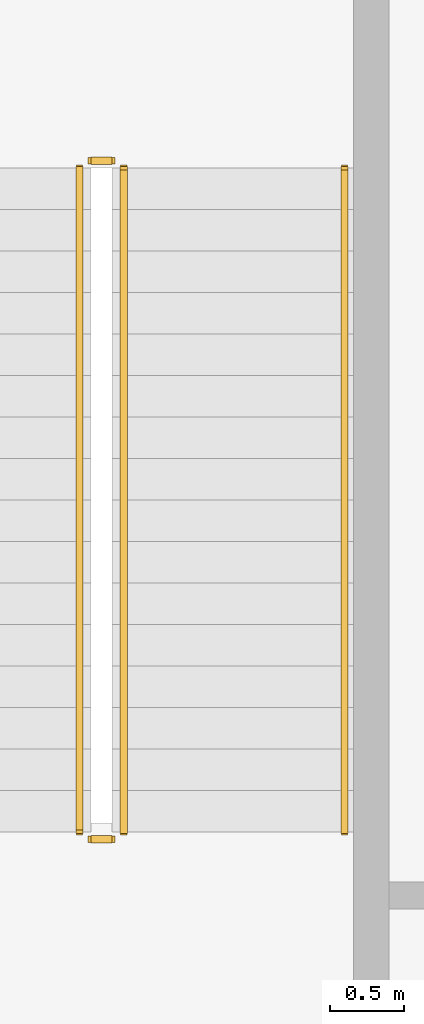
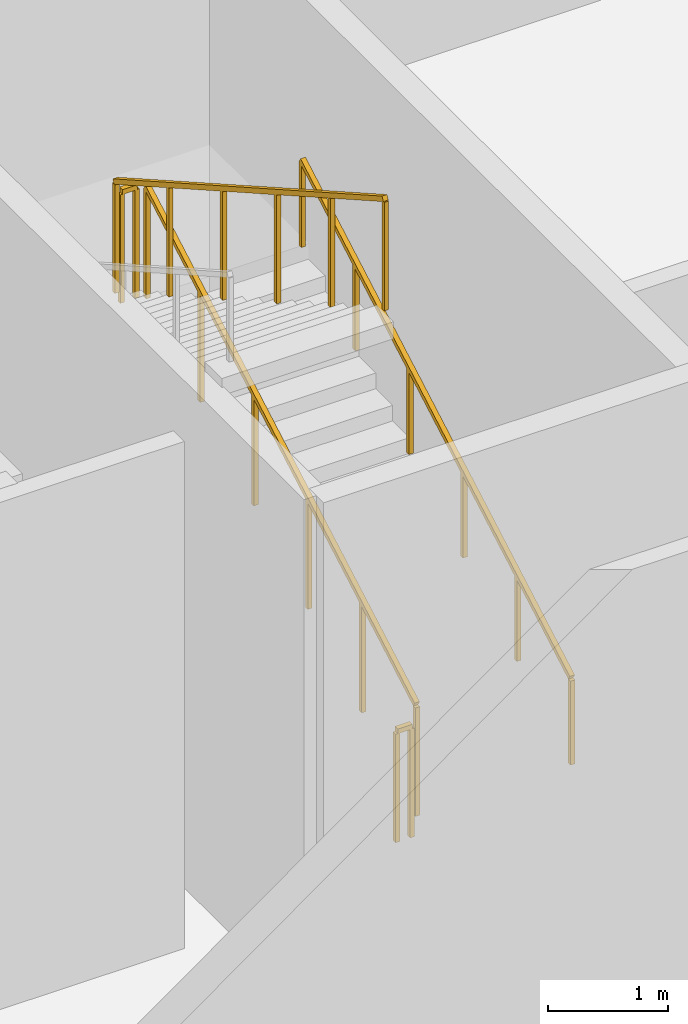
# One storey, part 28 of 30: 5 railings.
"""IFC4 building model written with IfcOpenShell, lengths in metres."""

import ifcopenshell
import ifcopenshell.guid

model = None  # the IFC model being written
_history = None  # IfcOwnerHistory: only IFC2X3 demands one
_inside = {}  # id of a spatial element -> (the spatial element, [elements in it])
_under = {}  # id of a project, library or spatial element -> (it, [spatial elements below it])
_declared = {}  # id of a project -> (the project, [libraries it declares])
_typed = {}  # id of a type object -> (the type object, [elements of that type])
_made_of = {}  # id of a material, layer set ... -> (it, [elements and type objects made of it])


def new_model(schema):
    """Start an empty IFC model of exactly this schema.

    Asked for "IFC4X3", IfcOpenShell would pick the latest addendum, in which some entities
    have other attributes; the version numbers below select the first issue.
    IFC2X3 requires an IfcOwnerHistory on every rooted entity: one is made here for all.
    """
    global model, _history
    if schema == "IFC4X3":
        model = ifcopenshell.file(schema_version=(4, 3, 0, 0))
    else:
        model = ifcopenshell.file(schema=schema)
    _inside.clear()
    _under.clear()
    _declared.clear()
    _typed.clear()
    _made_of.clear()
    _history = None
    if model.schema == "IFC2X3":
        org = make("IfcOrganization", Name="unknown")
        user = make(
            "IfcPersonAndOrganization",
            ThePerson=make("IfcPerson", FamilyName="unknown"),
            TheOrganization=org,
        )
        app = make(
            "IfcApplication",
            ApplicationDeveloper=org,
            Version="unknown",
            ApplicationFullName="unknown",
            ApplicationIdentifier="unknown",
        )
        _history = make(
            "IfcOwnerHistory",
            OwningUser=user,
            OwningApplication=app,
            ChangeAction="ADDED",
            CreationDate=0,
        )
    return model


def make(cls, **values):
    """One entity of the class cls with the attributes given. An attribute that is None is left unset."""
    return model.create_entity(
        cls, **{name: value for name, value in values.items() if value is not None}
    )


def rooted(cls, **values):
    """An entity with a GlobalId (a new one), such as an element, a storey or a relation."""
    return make(cls, GlobalId=ifcopenshell.guid.new(), OwnerHistory=_history, **values)


def si_unit(unit_type, name, prefix=None):
    """IfcSIUnit, for example si_unit("LENGTHUNIT", "METRE", prefix="MILLI")."""
    return make("IfcSIUnit", UnitType=unit_type, Prefix=prefix, Name=name)


def assignment(units):
    """IfcUnitAssignment: the units of a project."""
    return None if units is None else make("IfcUnitAssignment", Units=units)


def point(xyz):
    """IfcCartesianPoint."""
    return None if xyz is None else make("IfcCartesianPoint", Coordinates=xyz)


def direction(xyz):
    """IfcDirection."""
    return None if xyz is None else make("IfcDirection", DirectionRatios=xyz)


def frame(location, z_axis=None, x_axis=None):
    """IfcAxis2Placement3D, a coordinate frame: its origin and axes. An axis left out is left unset."""
    return make(
        "IfcAxis2Placement3D",
        Location=point(location),
        Axis=direction(z_axis),
        RefDirection=direction(x_axis),
    )


def frame_2d(location, x_axis=None):
    """IfcAxis2Placement2D, a coordinate frame in the plane: its origin and x axis."""
    return make(
        "IfcAxis2Placement2D", Location=point(location), RefDirection=direction(x_axis)
    )


def origin():
    """The frame at (0, 0, 0) with its axes left unset."""
    return frame((0.0, 0.0, 0.0))


def origin_2d():
    """The frame at (0, 0) in the plane with its x axis left unset."""
    return frame_2d((0.0, 0.0))


def place(relative_to, where):
    """IfcLocalPlacement: puts the frame where relative to a parent placement (None: the world)."""
    return make(
        "IfcLocalPlacement", PlacementRelTo=relative_to, RelativePlacement=where
    )


def context(
    kind, dimensions, precision=None, world=None, true_north=None, identifier=None
):
    """IfcGeometricRepresentationContext, for example the 3D "Model" context."""
    return make(
        "IfcGeometricRepresentationContext",
        ContextIdentifier=identifier,
        ContextType=kind,
        CoordinateSpaceDimension=dimensions,
        Precision=precision,
        WorldCoordinateSystem=world,
        TrueNorth=true_north,
    )


def subcontext(parent, identifier, kind, view, scale=None):
    """IfcGeometricRepresentationSubContext, for example "Body" below "Model"."""
    return make(
        "IfcGeometricRepresentationSubContext",
        ContextIdentifier=identifier,
        ContextType=kind,
        ParentContext=parent,
        TargetScale=scale,
        TargetView=view,
    )


def project(units=None, contexts=None):
    """IfcProject with its units and contexts."""
    return rooted(
        "IfcProject",
        Name="project",
        RepresentationContexts=contexts,
        UnitsInContext=assignment(units),
    )


def spatial(cls, under=None, at=None, **own):
    """A site, building, storey or space (cls), placed at a placement, below another one or the project."""
    s = rooted(cls, ObjectPlacement=at, **own)
    if under is not None:
        _under.setdefault(under.id(), (under, []))[1].append(s)
    return s


def profile(cls, at=None, kind="AREA", **sizes):
    """A parametric profile (cls). Its sizes go by their IFC names, for example OverallWidth=200.0."""
    return make(cls, ProfileType=kind, Position=at, **sizes)


def rectangle(**sizes):
    """IfcRectangleProfileDef."""
    return profile("IfcRectangleProfileDef", **sizes)


def extrude(swept, where, along, depth):
    """IfcExtrudedAreaSolid: the profile swept, set in the frame where, extruded along a direction by depth."""
    return make(
        "IfcExtrudedAreaSolid",
        SweptArea=swept,
        Position=where,
        ExtrudedDirection=direction(along),
        Depth=depth,
    )


def shape(context_of_items, identifier, shape_type, items):
    """IfcShapeRepresentation: the items that make up one representation, for example the "Body"."""
    return make(
        "IfcShapeRepresentation",
        ContextOfItems=context_of_items,
        RepresentationIdentifier=identifier,
        RepresentationType=shape_type,
        Items=items,
    )


def material(Name=None, Category=None):
    """IfcMaterial."""
    return make("IfcMaterial", Name=Name, Category=Category)


def made_of(thing, what):
    """Note that an element or type object is made of a material, layer set ...; save() writes the relation."""
    if what is not None:
        _made_of.setdefault(what.id(), (what, []))[1].append(thing)
    return thing


def type_object(cls, material=None, **own):
    """A type object (cls), such as IfcWallType, which elements share."""
    return made_of(rooted(cls, **own), material)


def element(
    cls,
    number,
    at=None,
    inside=None,
    cuts=None,
    type_object=None,
    material=None,
    context=None,
    identifier="Body",
    shape_type=None,
    held_by="IfcProductDefinitionShape",
    body=None,
    shapes=None,
    **own,
):
    """One element of the class cls, such as IfcWall. Its Tag is "e" and its number.

    at: its placement. inside: the storey or other place that contains it. cuts: it is an
    opening in that element (IfcRelVoidsElement). A single representation is given by context,
    identifier, shape_type and body (its items); several are given by shapes. held_by: the class
    of the entity that holds the representations. save() writes the other relations.
    """
    e = rooted(cls, Tag="e%d" % number, ObjectPlacement=at, **own)
    if body is not None:
        shapes = [shape(context, identifier, shape_type, body)]
    if shapes is not None:
        e.Representation = make(held_by, Representations=shapes)
    if inside is not None:
        _inside.setdefault(inside.id(), (inside, []))[1].append(e)
    if cuts is not None:
        rooted(
            "IfcRelVoidsElement", RelatingBuildingElement=cuts, RelatedOpeningElement=e
        )
    if type_object is not None:
        _typed.setdefault(type_object.id(), (type_object, []))[1].append(e)
    return made_of(e, material)


def aggregate(whole, parts):
    """IfcRelAggregates: a whole, such as a stair, and the parts it consists of."""
    return rooted("IfcRelAggregates", RelatingObject=whole, RelatedObjects=parts)


def save(model, path):
    """Write the relations noted so far, then the file.

    IfcRelAggregates (storeys below a building ...), IfcRelContainedInSpatialStructure (elements
    in a storey), IfcRelDefinesByType, IfcRelAssociatesMaterial and IfcRelDeclares: one each for
    every whole, place, type object, material and project.
    """
    for whole, parts in _under.values():
        aggregate(whole, parts)
    for where, things in _inside.values():
        rooted(
            "IfcRelContainedInSpatialStructure",
            RelatedElements=things,
            RelatingStructure=where,
        )
    for kind, things in _typed.values():
        rooted("IfcRelDefinesByType", RelatedObjects=things, RelatingType=kind)
    for what, things in _made_of.values():
        rooted("IfcRelAssociatesMaterial", RelatedObjects=things, RelatingMaterial=what)
    for by, libraries in _declared.values():
        rooted("IfcRelDeclares", RelatingContext=by, RelatedDefinitions=libraries)
    model.write(path)


model = new_model("IFC4")

# Units and contexts
model_context = context("Model", 3, precision=1e-05, world=origin(), true_north=direction((0.0, 1.0)))
body_context = subcontext(model_context, "Body", "Model", "MODEL_VIEW")
ifc_project = project(units=[si_unit("LENGTHUNIT", "METRE"), si_unit("AREAUNIT", "SQUARE_METRE"), si_unit("VOLUMEUNIT", "CUBIC_METRE"), si_unit("PLANEANGLEUNIT", "RADIAN"), si_unit("MASSUNIT", "GRAM", prefix="KILO")], contexts=[model_context])

# Site, building, storey
site_placement = place(None, origin())
site = spatial("IfcSite", under=ifc_project, at=site_placement, CompositionType="ELEMENT")
building_placement = place(site_placement, origin())
building = spatial("IfcBuilding", under=site, at=building_placement, Name="Liaohun Quay Tower", CompositionType="ELEMENT")
storey_placement = place(building_placement, origin())
storey = spatial("IfcBuildingStorey", under=building, at=storey_placement, Name="L01", CompositionType="ELEMENT", Elevation=0.0)

# Railings
ifc_material_1 = material(Name="Painted tubular steel", Category="steel")
railing_type_1 = type_object("IfcRailingType", Name="RLG-GUARD-STR", PredefinedType="GUARDRAIL", material=ifc_material_1)
railing_1_placement = place(storey_placement, frame((85.1298828125, 33.75, 0.158935546875)))
element("IfcRailing", 1, at=railing_1_placement, inside=storey, type_object=railing_type_1, Name="L01 ST-P2 stair guard 1", PredefinedType="GUARDRAIL", context=body_context, shape_type="SweptSolid", body=[
    extrude(rectangle(XDim=0.048095703125, YDim=0.048095703125, at=origin_2d()), frame((0.0, 0.0, 1.1259765625), z_axis=(0.0, 0.869825572089, 0.493359376256), x_axis=(-1.0, 0.0, 0.0)), (0.0, 0.0, 1.0), 5.150390625),
    extrude(rectangle(XDim=0.0419921875, YDim=0.0419921875, at=origin_2d()), origin(), (0.0, 0.0, 1.0), 1.101806640625),
    extrude(rectangle(XDim=0.0419921875, YDim=0.0419921875, at=origin_2d()), frame((0.0, 0.89599609375, 0.50830078125)), (0.0, 0.0, 1.0), 1.101806640625),
    extrude(rectangle(XDim=0.0419921875, YDim=0.0419921875, at=origin_2d()), frame((0.0, 1.7919921875, 1.016357421875)), (0.0, 0.0, 1.0), 1.101806640625),
    extrude(rectangle(XDim=0.0419921875, YDim=0.0419921875, at=origin_2d()), frame((0.0, 2.68798828125, 1.524658203125)), (0.0, 0.0, 1.0), 1.101806640625),
    extrude(rectangle(XDim=0.0419921875, YDim=0.0419921875, at=origin_2d()), frame((0.0, 3.583984375, 2.03271484375)), (0.0, 0.0, 1.0), 1.101806640625),
    extrude(rectangle(XDim=0.0419921875, YDim=0.0419921875, at=origin_2d()), frame((0.0, 4.47998046875, 2.541015625)), (0.0, 0.0, 1.0), 1.101806640625),
])
railing_2_placement = place(storey_placement, frame((85.050048828125, 38.280029296875, 2.699951171875)))
element("IfcRailing", 2, at=railing_2_placement, inside=storey, type_object=railing_type_1, Name="L01 ST-P2 stair guard 2", PredefinedType="GUARDRAIL", context=body_context, shape_type="SweptSolid", body=[
    extrude(rectangle(XDim=0.048095703125, YDim=0.048095703125, at=origin_2d()), frame((0.0, 0.0, 1.1259765625), z_axis=(-1.0, 0.0, 0.0), x_axis=(0.0, -1.0, 0.0)), (0.0, 0.0, 1.0), 0.14013671875),
    extrude(rectangle(XDim=0.0419921875, YDim=0.0419921875, at=origin_2d()), origin(), (0.0, 0.0, 1.0), 1.101806640625),
    extrude(rectangle(XDim=0.0419921875, YDim=0.0419921875, at=origin_2d()), frame((-0.14013671875, 0.0, 0.0)), (0.0, 0.0, 1.0), 1.101806640625),
])
railing_3_placement = place(storey_placement, frame((84.830078125, 38.22998046875, 2.85888671875)))
element("IfcRailing", 3, at=railing_3_placement, inside=storey, type_object=railing_type_1, Name="L01 ST-P2 stair guard 3", PredefinedType="GUARDRAIL", context=body_context, shape_type="SweptSolid", body=[
    extrude(rectangle(XDim=0.048095703125, YDim=0.048095703125, at=origin_2d()), frame((0.0, 0.0, 1.1259765625), z_axis=(0.0, -0.869825572089, 0.493359376256), x_axis=(1.0, 0.0, 0.0)), (0.0, 0.0, 1.0), 5.150390625),
    extrude(rectangle(XDim=0.0419921875, YDim=0.0419921875, at=origin_2d()), origin(), (0.0, 0.0, 1.0), 1.101806640625),
    extrude(rectangle(XDim=0.0419921875, YDim=0.0419921875, at=origin_2d()), frame((0.0, -0.89599609375, 0.50830078125)), (0.0, 0.0, 1.0), 1.101806640625),
    extrude(rectangle(XDim=0.0419921875, YDim=0.0419921875, at=origin_2d()), frame((0.0, -1.7919921875, 1.016357421875)), (0.0, 0.0, 1.0), 1.101806640625),
    extrude(rectangle(XDim=0.0419921875, YDim=0.0419921875, at=origin_2d()), frame((0.0, -2.68798828125, 1.524658203125)), (0.0, 0.0, 1.0), 1.101806640625),
    extrude(rectangle(XDim=0.0419921875, YDim=0.0419921875, at=origin_2d()), frame((0.0, -3.583984375, 2.03271484375)), (0.0, 0.0, 1.0), 1.101806640625),
    extrude(rectangle(XDim=0.0419921875, YDim=0.0419921875, at=origin_2d()), frame((0.0, -4.47998046875, 2.541015625)), (0.0, 0.0, 1.0), 1.101806640625),
])
railing_4_placement = place(storey_placement, frame((85.050048828125, 33.699951171875, 0.0)))
element("IfcRailing", 4, at=railing_4_placement, inside=storey, type_object=railing_type_1, Name="L01 ST-P2 stair guard 4", PredefinedType="GUARDRAIL", context=body_context, shape_type="SweptSolid", body=[
    extrude(rectangle(XDim=0.048095703125, YDim=0.048095703125, at=origin_2d()), frame((0.0, 0.0, 1.1259765625), z_axis=(-1.0, 0.0, 0.0), x_axis=(0.0, -1.0, 0.0)), (0.0, 0.0, 1.0), 0.14013671875),
    extrude(rectangle(XDim=0.0419921875, YDim=0.0419921875, at=origin_2d()), origin(), (0.0, 0.0, 1.0), 1.101806640625),
    extrude(rectangle(XDim=0.0419921875, YDim=0.0419921875, at=origin_2d()), frame((-0.14013671875, 0.0, 0.0)), (0.0, 0.0, 1.0), 1.101806640625),
])
ifc_material_2 = material(Name="Brushed stainless steel", Category="steel")
railing_type_2 = type_object("IfcRailingType", Name="RLG-HND-STR", PredefinedType="HANDRAIL", material=ifc_material_2)
railing_5_placement = place(storey_placement, frame((86.6201171875, 33.75, 0.158935546875)))
element("IfcRailing", 5, at=railing_5_placement, inside=storey, type_object=railing_type_2, Name="L01 ST-P2 stair handrail 1", PredefinedType="HANDRAIL", context=body_context, shape_type="SweptSolid", body=[
    extrude(rectangle(XDim=0.048095703125, YDim=0.048095703125, at=origin_2d()), frame((0.0, 0.0, 0.8759765625), z_axis=(0.0, 0.869825572089, 0.493359376256), x_axis=(-1.0, 0.0, 0.0)), (0.0, 0.0, 1.0), 5.150390625),
    extrude(rectangle(XDim=0.0419921875, YDim=0.0419921875, at=origin_2d()), origin(), (0.0, 0.0, 1.0), 0.851806640625),
    extrude(rectangle(XDim=0.0419921875, YDim=0.0419921875, at=origin_2d()), frame((0.0, 0.89599609375, 0.50830078125)), (0.0, 0.0, 1.0), 0.851806640625),
    extrude(rectangle(XDim=0.0419921875, YDim=0.0419921875, at=origin_2d()), frame((0.0, 1.7919921875, 1.016357421875)), (0.0, 0.0, 1.0), 0.851806640625),
    extrude(rectangle(XDim=0.0419921875, YDim=0.0419921875, at=origin_2d()), frame((0.0, 2.68798828125, 1.524658203125)), (0.0, 0.0, 1.0), 0.851806640625),
    extrude(rectangle(XDim=0.0419921875, YDim=0.0419921875, at=origin_2d()), frame((0.0, 3.583984375, 2.03271484375)), (0.0, 0.0, 1.0), 0.851806640625),
    extrude(rectangle(XDim=0.0419921875, YDim=0.0419921875, at=origin_2d()), frame((0.0, 4.47998046875, 2.541015625)), (0.0, 0.0, 1.0), 0.851806640625),
])

save(model, "model.ifc")
